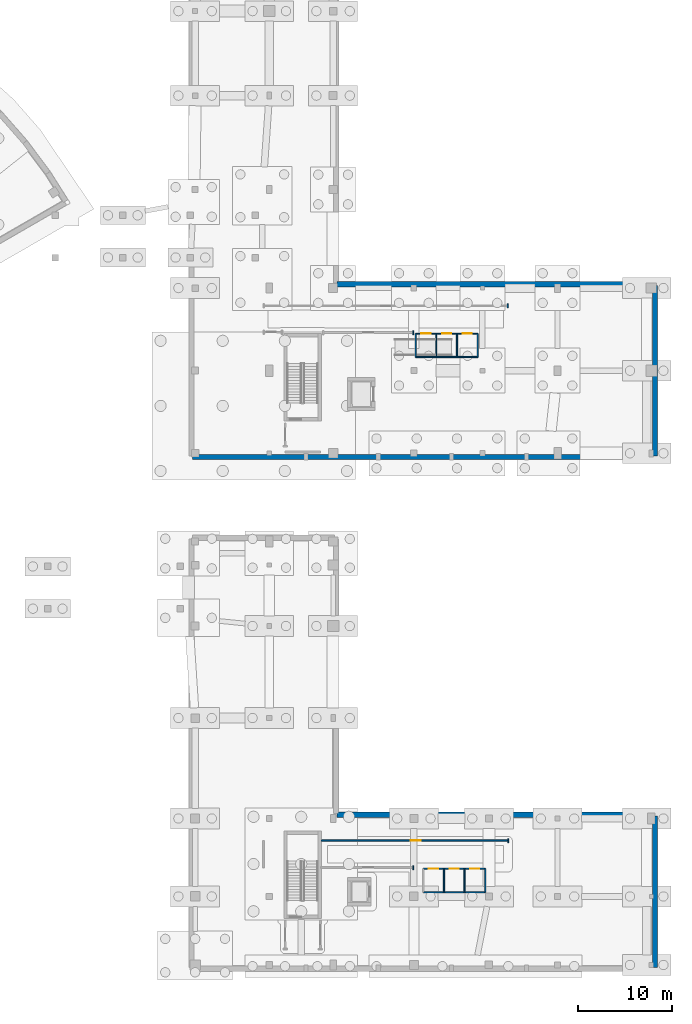
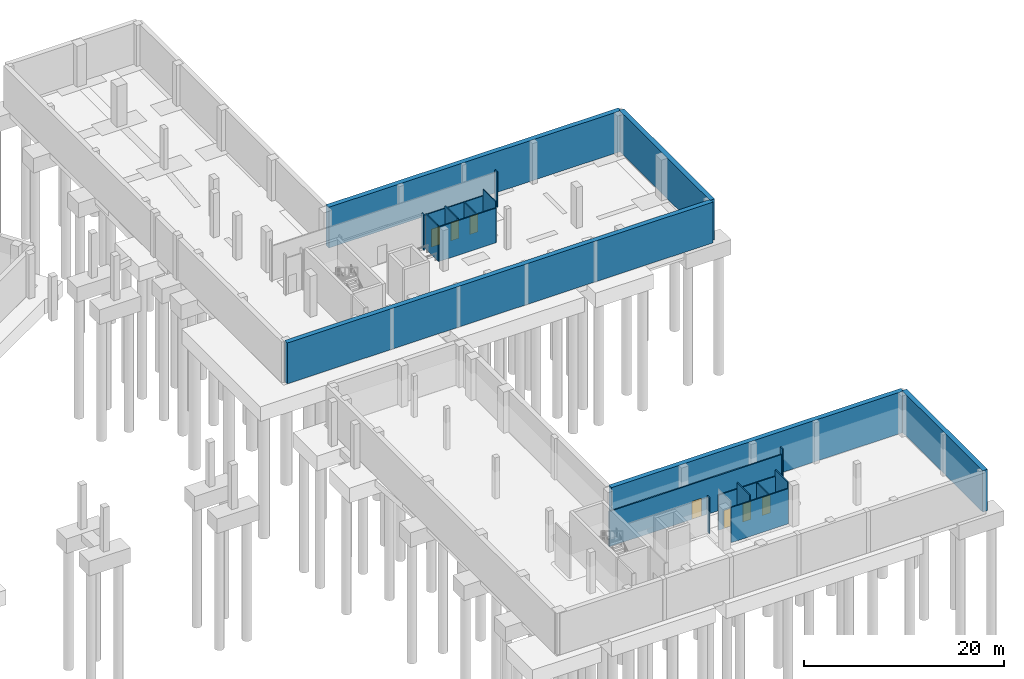
# One storey, part 18 of 33: 21 walls, 7 doors, 7 openings.
"""IFC4 building model written with IfcOpenShell, lengths in metres."""

from ifc_helpers import new_model, si_unit, direction, frame, frame_2d, origin, place, context, subcontext, project, spatial, rectangle, extrude, material, layer, layer_set, type_object, element, fill, save


model = new_model("IFC4")

# Units and contexts
model_context = context("Model", 3, precision=1e-05, world=origin(), true_north=direction((0.0, 1.0)))
body_context = subcontext(model_context, "Body", "Model", "MODEL_VIEW")
ifc_project = project(units=[si_unit("LENGTHUNIT", "METRE"), si_unit("AREAUNIT", "SQUARE_METRE"), si_unit("VOLUMEUNIT", "CUBIC_METRE"), si_unit("PLANEANGLEUNIT", "RADIAN"), si_unit("MASSUNIT", "GRAM", prefix="KILO")], contexts=[model_context])

# Site, building, storey
site_placement = place(None, origin())
site = spatial("IfcSite", under=ifc_project, at=site_placement, CompositionType="ELEMENT")
building_placement = place(site_placement, origin())
building = spatial("IfcBuilding", under=site, at=building_placement, Name="Soyqirgoq Riverine Aquarium", CompositionType="ELEMENT")
storey_placement = place(building_placement, frame((0.0, 0.0, -5.39990234375)))
storey = spatial("IfcBuildingStorey", under=building, at=storey_placement, Name="B01", CompositionType="ELEMENT", Elevation=-5.39990234375)

# Walls
ifc_material_1 = material(Name="Lightweight steel-stud gypsum partition", Category="steel")
ifc_layer_1 = layer(ifc_material_1, 0.1201171875)
ifc_layer_set_1 = layer_set([ifc_layer_1], Name="Lightweight steel-stud gypsum partition")
wall_type_1 = type_object("IfcWallType", Name="PartitionWall_120_Std", PredefinedType="PARTITIONING", material=ifc_layer_set_1)
wall_1_placement = place(storey_placement, frame((148.0400390625, 15.219970703125, 0.0), z_axis=(0.0, 0.0, 1.0), x_axis=(0.0, 1.0, 0.0)))
element("IfcWall", 1, at=wall_1_placement, inside=storey, type_object=wall_type_1, Name="V6 B01 Jamb Return Pier", PredefinedType="PARTITIONING", context=body_context, shape_type="SweptSolid", body=[
    extrude(rectangle(XDim=0.43994140625, YDim=0.1201171875, at=frame_2d((0.219970703125, 0.0))), origin(), (0.0, 0.0, 1.0), 5.0498046875),
])
wall_2_placement = place(storey_placement, frame((137.919921875, 12.780029296875, 0.0), z_axis=(0.0, 0.0, 1.0), x_axis=(0.0, -1.0, 0.0)))
element("IfcWall", 2, at=wall_2_placement, inside=storey, type_object=wall_type_1, Name="V6 B01 Jamb Return Pier", PredefinedType="PARTITIONING", context=body_context, shape_type="SweptSolid", body=[
    extrude(rectangle(XDim=0.43994140625, YDim=0.1201171875, at=frame_2d((0.219970703125, 0.0))), origin(), (0.0, 0.0, 1.0), 4.389892578125),
])
wall_3_placement = place(storey_placement, frame((148.0, 72.6201171875, 0.0), z_axis=(0.0, 0.0, 1.0), x_axis=(0.0, -1.0, 0.0)))
element("IfcWall", 3, at=wall_3_placement, inside=storey, type_object=wall_type_1, Name="V7 B01 Jamb Return Pier", PredefinedType="PARTITIONING", context=body_context, shape_type="SweptSolid", body=[
    extrude(rectangle(XDim=0.440185546875, YDim=0.1201171875, at=frame_2d((0.22021484375, 0.0))), origin(), (0.0, 0.0, 1.0), 4.31982421875),
])
wall_4_placement = place(storey_placement, frame((137.919921875, 69.780029296875, 0.0), z_axis=(0.0, 0.0, 1.0), x_axis=(0.0, -1.0, 0.0)))
element("IfcWall", 4, at=wall_4_placement, inside=storey, type_object=wall_type_1, Name="V7 B01 Jamb Return Pier", PredefinedType="PARTITIONING", context=body_context, shape_type="SweptSolid", body=[
    extrude(rectangle(XDim=0.43994140625, YDim=0.1201171875, at=frame_2d((0.219970703125, 0.0))), origin(), (0.0, 0.0, 1.0), 4.31982421875),
])

# Wall, openings, doors
ifc_material_2 = material(Name="Moisture-resistant cement-board wet-room partition", Category="gypsum")
ifc_layer_2 = layer(ifc_material_2, 0.125)
ifc_layer_set_2 = layer_set([ifc_layer_2], Name="Moisture-resistant cement-board wet-room partition")
wall_type_2 = type_object("IfcWallType", Name="PartitionWall_125_Wet", PredefinedType="PARTITIONING", material=ifc_layer_set_2)
wall_5_placement = place(storey_placement, frame((139.0, 12.449951171875, 0.0), z_axis=(0.0, 0.0, 1.0), x_axis=(1.0, 0.0, 0.0)))
wall_5 = element("IfcWall", 5, at=wall_5_placement, inside=storey, type_object=wall_type_2, Name="V6 B01 WC Suite Front Wall", PredefinedType="PARTITIONING", context=body_context, shape_type="SweptSolid", body=[
    extrude(rectangle(XDim=6.60009765625, YDim=0.125, at=frame_2d((3.300048828125, 0.0))), origin(), (0.0, 0.0, 1.0), 4.289794921875),
])
opening_1_placement = place(wall_5_placement, frame((0.60009765625, 0.0, 0.0)))
opening_1 = element("IfcOpeningElement", 6, at=opening_1_placement, cuts=wall_5, Name="Opening ID-05", PredefinedType="OPENING", context=body_context, shape_type="SweptSolid", body=[
    extrude(rectangle(XDim=1.0, YDim=2.199951171875, at=frame_2d((0.5, 1.10009765625))), frame((0.0, 0.072509765625, 0.0), z_axis=(0.0, -1.0, 0.0), x_axis=(1.0, 0.0, 0.0)), (0.0, 0.0, 1.0), 0.14501953125),
])
opening_2_placement = place(wall_5_placement, frame((2.824951171875, 0.0, 0.0)))
opening_2 = element("IfcOpeningElement", 7, at=opening_2_placement, cuts=wall_5, Name="Opening ID-06", PredefinedType="OPENING", context=body_context, shape_type="SweptSolid", body=[
    extrude(rectangle(XDim=0.949951171875, YDim=2.199951171875, at=frame_2d((0.47509765625, 1.10009765625))), frame((0.0, 0.072509765625, 0.0), z_axis=(0.0, -1.0, 0.0), x_axis=(1.0, 0.0, 0.0)), (0.0, 0.0, 1.0), 0.14501953125),
])
opening_3_placement = place(wall_5_placement, frame((5.02490234375, 0.0, 0.0)))
opening_3 = element("IfcOpeningElement", 8, at=opening_3_placement, cuts=wall_5, Name="Opening ID-06", PredefinedType="OPENING", context=body_context, shape_type="SweptSolid", body=[
    extrude(rectangle(XDim=0.949951171875, YDim=2.199951171875, at=frame_2d((0.47509765625, 1.10009765625))), frame((0.0, 0.072509765625, 0.0), z_axis=(0.0, -1.0, 0.0), x_axis=(1.0, 0.0, 0.0)), (0.0, 0.0, 1.0), 0.14501953125),
])
ifc_material_3 = material(Name="Moisture-resistant HPL accessible washroom door", Category="wood")
door_type_1 = type_object("IfcDoorType", Name="AccessibleWCDoor_1000x2200", OperationType="NOTDEFINED", PredefinedType="DOOR", material=ifc_material_3)
door_1_placement = place(opening_1_placement, origin())
door_1 = element("IfcDoor", 9, at=door_1_placement, inside=storey, type_object=door_type_1, Name="IDR-V6-B01-0171 Accessible WC Door", OperationType="SINGLE_SWING_LEFT", OverallHeight=2.199951171875, OverallWidth=1.0, PredefinedType="DOOR", context=body_context, shape_type="SweptSolid", body=[
    extrude(rectangle(XDim=1.0, YDim=2.199951171875, at=frame_2d((0.5, 1.10009765625))), frame((0.0, 0.02490234375, 0.0), z_axis=(0.0, -1.0, 0.0), x_axis=(1.0, 0.0, 0.0)), (0.0, 0.0, 1.0), 0.050048828125),
])
fill(opening_1, door_1)
ifc_material_4 = material(Name="Moisture-resistant HPL washroom door", Category="wood")
door_type_2 = type_object("IfcDoorType", Name="WCDoor_950x2200", OperationType="NOTDEFINED", PredefinedType="DOOR", material=ifc_material_4)
door_2_placement = place(opening_2_placement, origin())
door_2 = element("IfcDoor", 10, at=door_2_placement, inside=storey, type_object=door_type_2, Name="IDR-V6-B01-0172 Staff Shower Room Door", OperationType="SINGLE_SWING_RIGHT", OverallHeight=2.199951171875, OverallWidth=0.949951171875, PredefinedType="DOOR", context=body_context, shape_type="SweptSolid", body=[
    extrude(rectangle(XDim=0.949951171875, YDim=2.199951171875, at=frame_2d((0.47509765625, 1.10009765625))), frame((0.0, 0.02490234375, 0.0), z_axis=(0.0, -1.0, 0.0), x_axis=(1.0, 0.0, 0.0)), (0.0, 0.0, 1.0), 0.050048828125),
])
fill(opening_2, door_2)
door_3_placement = place(opening_3_placement, origin())
door_3 = element("IfcDoor", 11, at=door_3_placement, inside=storey, type_object=door_type_2, Name="IDR-V6-B01-0173 Staff WC Door", OperationType="SINGLE_SWING_LEFT", OverallHeight=2.199951171875, OverallWidth=0.949951171875, PredefinedType="DOOR", context=body_context, shape_type="SweptSolid", body=[
    extrude(rectangle(XDim=0.949951171875, YDim=2.199951171875, at=frame_2d((0.47509765625, 1.10009765625))), frame((0.0, 0.02490234375, 0.0), z_axis=(0.0, -1.0, 0.0), x_axis=(1.0, 0.0, 0.0)), (0.0, 0.0, 1.0), 0.050048828125),
])
fill(opening_3, door_3)

# Walls
wall_6_placement = place(storey_placement, frame((139.0, 9.949951171875, 0.0), z_axis=(0.0, 0.0, 1.0), x_axis=(1.0, 0.0, 0.0)))
element("IfcWall", 12, at=wall_6_placement, inside=storey, type_object=wall_type_2, Name="V6 B01 WC Suite Back Wall", PredefinedType="PARTITIONING", context=body_context, shape_type="SweptSolid", body=[
    extrude(rectangle(XDim=6.60009765625, YDim=0.125, at=frame_2d((3.300048828125, 0.0))), origin(), (0.0, 0.0, 1.0), 4.289794921875),
])
for number, where, z_axis, x_axis, name in (
    (13, (145.60009765625, 9.949951171875, 0.0), (0.0, 0.0, 1.0), (0.0, 1.0, 0.0), "V6 B01 WC Suite East Wall"),
    (14, (141.199951171875, 9.949951171875, 0.0), (0.0, 0.0, 1.0), (0.0, 1.0, 0.0), "V6 B01 WC Cubicle Divider 1"),
):
    element("IfcWall", number, at=place(storey_placement, frame(where, z_axis=z_axis, x_axis=x_axis)), inside=storey, type_object=wall_type_2, Name=name, PredefinedType="PARTITIONING", context=body_context, shape_type="SweptSolid", body=[
        extrude(rectangle(XDim=2.5, YDim=0.125, at=frame_2d((1.25, 0.0))), origin(), (0.0, 0.0, 1.0), 5.0498046875),
    ])
wall_7_placement = place(storey_placement, frame((143.39990234375, 9.949951171875, 0.0), z_axis=(0.0, 0.0, 1.0), x_axis=(0.0, 1.0, 0.0)))
element("IfcWall", 15, at=wall_7_placement, inside=storey, type_object=wall_type_2, Name="V6 B01 WC Cubicle Divider 2", PredefinedType="PARTITIONING", context=body_context, shape_type="SweptSolid", body=[
    extrude(rectangle(XDim=2.5, YDim=0.125, at=frame_2d((1.25, 0.0))), origin(), (0.0, 0.0, 1.0), 4.289794921875),
])

# Wall, openings, doors
wall_8_placement = place(storey_placement, frame((138.199951171875, 69.449951171875, 0.0), z_axis=(0.0, 0.0, 1.0), x_axis=(1.0, 0.0, 0.0)))
wall_8 = element("IfcWall", 16, at=wall_8_placement, inside=storey, type_object=wall_type_2, Name="V7 B01 WC Suite Front Wall", PredefinedType="PARTITIONING", context=body_context, shape_type="SweptSolid", body=[
    extrude(rectangle(XDim=6.60009765625, YDim=0.125, at=frame_2d((3.300048828125, 0.0))), origin(), (0.0, 0.0, 1.0), 4.219970703125),
])
opening_4_placement = place(wall_8_placement, frame((0.60009765625, 0.0, 0.0)))
opening_4 = element("IfcOpeningElement", 17, at=opening_4_placement, cuts=wall_8, Name="Opening ID-05", PredefinedType="OPENING", context=body_context, shape_type="SweptSolid", body=[
    extrude(rectangle(XDim=1.0, YDim=2.199951171875, at=frame_2d((0.5, 1.10009765625))), frame((0.0, 0.072509765625, 0.0), z_axis=(0.0, -1.0, 0.0), x_axis=(1.0, 0.0, 0.0)), (0.0, 0.0, 1.0), 0.14501953125),
])
opening_5_placement = place(wall_8_placement, frame((2.824951171875, 0.0, 0.0)))
opening_5 = element("IfcOpeningElement", 18, at=opening_5_placement, cuts=wall_8, Name="Opening ID-06", PredefinedType="OPENING", context=body_context, shape_type="SweptSolid", body=[
    extrude(rectangle(XDim=0.949951171875, YDim=2.199951171875, at=frame_2d((0.47509765625, 1.10009765625))), frame((0.0, 0.072509765625, 0.0), z_axis=(0.0, -1.0, 0.0), x_axis=(1.0, 0.0, 0.0)), (0.0, 0.0, 1.0), 0.14501953125),
])
opening_6_placement = place(wall_8_placement, frame((5.02490234375, 0.0, 0.0)))
opening_6 = element("IfcOpeningElement", 19, at=opening_6_placement, cuts=wall_8, Name="Opening ID-06", PredefinedType="OPENING", context=body_context, shape_type="SweptSolid", body=[
    extrude(rectangle(XDim=0.949951171875, YDim=2.199951171875, at=frame_2d((0.47509765625, 1.10009765625))), frame((0.0, 0.072509765625, 0.0), z_axis=(0.0, -1.0, 0.0), x_axis=(1.0, 0.0, 0.0)), (0.0, 0.0, 1.0), 0.14501953125),
])
door_4_placement = place(opening_4_placement, origin())
door_4 = element("IfcDoor", 20, at=door_4_placement, inside=storey, type_object=door_type_1, Name="IDR-V7-B01-0204 Accessible WC Door", OperationType="SINGLE_SWING_LEFT", OverallHeight=2.199951171875, OverallWidth=1.0, PredefinedType="DOOR", context=body_context, shape_type="SweptSolid", body=[
    extrude(rectangle(XDim=1.0, YDim=2.199951171875, at=frame_2d((0.5, 1.10009765625))), frame((0.0, 0.02490234375, 0.0), z_axis=(0.0, -1.0, 0.0), x_axis=(1.0, 0.0, 0.0)), (0.0, 0.0, 1.0), 0.050048828125),
])
fill(opening_4, door_4)
door_5_placement = place(opening_5_placement, origin())
door_5 = element("IfcDoor", 21, at=door_5_placement, inside=storey, type_object=door_type_2, Name="IDR-V7-B01-0205 Staff Shower Room Door", OperationType="SINGLE_SWING_RIGHT", OverallHeight=2.199951171875, OverallWidth=0.949951171875, PredefinedType="DOOR", context=body_context, shape_type="SweptSolid", body=[
    extrude(rectangle(XDim=0.949951171875, YDim=2.199951171875, at=frame_2d((0.47509765625, 1.10009765625))), frame((0.0, 0.02490234375, 0.0), z_axis=(0.0, -1.0, 0.0), x_axis=(1.0, 0.0, 0.0)), (0.0, 0.0, 1.0), 0.050048828125),
])
fill(opening_5, door_5)
door_6_placement = place(opening_6_placement, origin())
door_6 = element("IfcDoor", 22, at=door_6_placement, inside=storey, type_object=door_type_2, Name="IDR-V7-B01-0206 Staff WC Door", OperationType="SINGLE_SWING_LEFT", OverallHeight=2.199951171875, OverallWidth=0.949951171875, PredefinedType="DOOR", context=body_context, shape_type="SweptSolid", body=[
    extrude(rectangle(XDim=0.949951171875, YDim=2.199951171875, at=frame_2d((0.47509765625, 1.10009765625))), frame((0.0, 0.02490234375, 0.0), z_axis=(0.0, -1.0, 0.0), x_axis=(1.0, 0.0, 0.0)), (0.0, 0.0, 1.0), 0.050048828125),
])
fill(opening_6, door_6)

# Walls
wall_9_placement = place(storey_placement, frame((138.199951171875, 66.949951171875, 0.0), z_axis=(0.0, 0.0, 1.0), x_axis=(1.0, 0.0, 0.0)))
element("IfcWall", 23, at=wall_9_placement, inside=storey, type_object=wall_type_2, Name="V7 B01 WC Suite Back Wall", PredefinedType="PARTITIONING", context=body_context, shape_type="SweptSolid", body=[
    extrude(rectangle(XDim=6.60009765625, YDim=0.125, at=frame_2d((3.300048828125, 0.0))), origin(), (0.0, 0.0, 1.0), 4.219970703125),
])
wall_10_placement = place(storey_placement, frame((138.199951171875, 66.949951171875, 0.0), z_axis=(0.0, 0.0, 1.0), x_axis=(0.0, 1.0, 0.0)))
element("IfcWall", 24, at=wall_10_placement, inside=storey, type_object=wall_type_2, Name="V7 B01 WC Suite West Wall", PredefinedType="PARTITIONING", context=body_context, shape_type="SweptSolid", body=[
    extrude(rectangle(XDim=2.5, YDim=0.125, at=frame_2d((1.25, 0.0))), origin(), (0.0, 0.0, 1.0), 4.31982421875),
])
wall_11_placement = place(storey_placement, frame((144.800048828125, 66.949951171875, 0.0), z_axis=(0.0, 0.0, 1.0), x_axis=(0.0, 1.0, 0.0)))
element("IfcWall", 25, at=wall_11_placement, inside=storey, type_object=wall_type_2, Name="V7 B01 WC Suite East Wall", PredefinedType="PARTITIONING", context=body_context, shape_type="SweptSolid", body=[
    extrude(rectangle(XDim=2.5, YDim=0.125, at=frame_2d((1.25, 0.0))), origin(), (0.0, 0.0, 1.0), 4.97998046875),
])
wall_12_placement = place(storey_placement, frame((140.39990234375, 66.949951171875, 0.0), z_axis=(0.0, 0.0, 1.0), x_axis=(0.0, 1.0, 0.0)))
element("IfcWall", 26, at=wall_12_placement, inside=storey, type_object=wall_type_2, Name="V7 B01 WC Cubicle Divider 1", PredefinedType="PARTITIONING", context=body_context, shape_type="SweptSolid", body=[
    extrude(rectangle(XDim=2.5, YDim=0.125, at=frame_2d((1.25, 0.0))), origin(), (0.0, 0.0, 1.0), 4.47998046875),
])
wall_13_placement = place(storey_placement, frame((142.60009765625, 66.949951171875, 0.0), z_axis=(0.0, 0.0, 1.0), x_axis=(0.0, 1.0, 0.0)))
element("IfcWall", 27, at=wall_13_placement, inside=storey, type_object=wall_type_2, Name="V7 B01 WC Cubicle Divider 2", PredefinedType="PARTITIONING", context=body_context, shape_type="SweptSolid", body=[
    extrude(rectangle(XDim=2.5, YDim=0.125, at=frame_2d((1.25, 0.0))), origin(), (0.0, 0.0, 1.0), 4.219970703125),
])

# Wall, opening, door
ifc_material_5 = material(Name="Fire-rated acoustic gypsum stud partition", Category="gypsum")
ifc_layer_3 = layer(ifc_material_5, 0.159912109375)
ifc_layer_set_3 = layer_set([ifc_layer_3], Name="Fire-rated acoustic gypsum stud partition")
wall_type_3 = type_object("IfcWallType", Name="PartitionWall_160_EI60", PredefinedType="PARTITIONING", material=ifc_layer_set_3)
wall_14_placement = place(storey_placement, frame((128.094970703125, 15.43994140625, 0.0), z_axis=(0.0, 0.0, 1.0), x_axis=(1.0, 0.0, 0.0)))
wall_14 = element("IfcWall", 28, at=wall_14_placement, inside=storey, type_object=wall_type_3, Name="Stagecraft Technical Workshop Partition Wall", PredefinedType="PARTITIONING", context=body_context, shape_type="SweptSolid", body=[
    extrude(rectangle(XDim=19.945068359375, YDim=0.159912109375, at=frame_2d((9.97265625, 0.0))), origin(), (0.0, 0.0, 1.0), 4.289794921875),
])
opening_7_placement = place(wall_14_placement, frame((9.550048828125, 0.0, 0.0)))
opening_7 = element("IfcOpeningElement", 29, at=opening_7_placement, cuts=wall_14, Name="Opening ID-04", PredefinedType="OPENING", context=body_context, shape_type="SweptSolid", body=[
    extrude(rectangle(XDim=1.10009765625, YDim=2.199951171875, at=frame_2d((0.550048828125, 1.10009765625))), frame((0.0, 0.08984375, 0.0), z_axis=(0.0, -1.0, 0.0), x_axis=(1.0, 0.0, 0.0)), (0.0, 0.0, 1.0), 0.179931640625),
])
ifc_material_6 = material(Name="Chemical-resistant HPL fire-rated laboratory door", Category="wood")
door_type_3 = type_object("IfcDoorType", Name="LabDoor_1100x2200_EI60", OperationType="NOTDEFINED", PredefinedType="DOOR", material=ifc_material_6)
door_7_placement = place(opening_7_placement, origin())
door_7 = element("IfcDoor", 30, at=door_7_placement, inside=storey, type_object=door_type_3, Name="IDR-V6-B01-0175 Education Basement Corridor Door", OperationType="SINGLE_SWING_RIGHT", OverallHeight=2.199951171875, OverallWidth=1.10009765625, PredefinedType="DOOR", context=body_context, shape_type="SweptSolid", body=[
    extrude(rectangle(XDim=1.10009765625, YDim=2.199951171875, at=frame_2d((0.550048828125, 1.10009765625))), frame((0.0, 0.02490234375, 0.0), z_axis=(0.0, -1.0, 0.0), x_axis=(1.0, 0.0, 0.0)), (0.0, 0.0, 1.0), 0.050048828125),
])
fill(opening_7, door_7)

# Walls
ifc_material_7 = material(Name="Concrete C35/45", Category="concrete")
ifc_layer_4 = layer(ifc_material_7, 0.550048828125)
ifc_layer_set_4 = layer_set([ifc_layer_4], Name="Concrete C35/45")
wall_type_4 = type_object("IfcWallType", Name="RetainingWall_550_C35", PredefinedType="USERDEFINED", material=ifc_layer_set_4)
wall_15_placement = place(storey_placement, frame((129.83740234375, 18.199951171875, 0.0), z_axis=(0.0, 0.0, 1.0), x_axis=(1.0, 0.0, 0.0)))
element("IfcWall", 31, at=wall_15_placement, inside=storey, type_object=wall_type_4, Name="V6 B01 Perimeter Retaining Wall 103", ObjectType="RETAININGWALL", PredefinedType="USERDEFINED", context=body_context, shape_type="SweptSolid", body=[
    extrude(rectangle(XDim=33.72509765625, YDim=0.550048828125, at=frame_2d((16.862548828125, 0.0))), origin(), (0.0, 0.0, 1.0), 5.0498046875),
])
wall_16_placement = place(storey_placement, frame((163.699951171875, 18.0625, 0.0), z_axis=(0.0, 0.0, 1.0), x_axis=(0.0, -1.0, 0.0)))
element("IfcWall", 32, at=wall_16_placement, inside=storey, type_object=wall_type_4, Name="V6 B01 Perimeter Retaining Wall 104", ObjectType="RETAININGWALL", PredefinedType="USERDEFINED", context=body_context, shape_type="SweptSolid", body=[
    extrude(rectangle(XDim=16.125, YDim=0.550048828125, at=frame_2d((8.0625, 0.0))), origin(), (0.0, 0.0, 1.0), 5.0498046875),
])
wall_17_placement = place(storey_placement, frame((129.83740234375, 74.699951171875, 0.0), z_axis=(0.0, 0.0, 1.0), x_axis=(1.0, 0.0, 0.0)))
element("IfcWall", 33, at=wall_17_placement, inside=storey, type_object=wall_type_4, Name="V7 B01 Perimeter Retaining Wall 109", ObjectType="RETAININGWALL", PredefinedType="USERDEFINED", context=body_context, shape_type="SweptSolid", body=[
    extrude(rectangle(XDim=33.72509765625, YDim=0.550048828125, at=frame_2d((16.862548828125, 0.0))), origin(), (0.0, 0.0, 1.0), 4.97998046875),
])
wall_18_placement = place(storey_placement, frame((163.699951171875, 74.5625, 0.0), z_axis=(0.0, 0.0, 1.0), x_axis=(0.0, -1.0, 0.0)))
element("IfcWall", 34, at=wall_18_placement, inside=storey, type_object=wall_type_4, Name="V7 B01 Perimeter Retaining Wall 110", ObjectType="RETAININGWALL", PredefinedType="USERDEFINED", context=body_context, shape_type="SweptSolid", body=[
    extrude(rectangle(XDim=18.125, YDim=0.550048828125, at=frame_2d((9.0625, 0.0))), origin(), (0.0, 0.0, 1.0), 4.97998046875),
])
wall_19_placement = place(storey_placement, frame((163.5625, 56.300048828125, 0.0), z_axis=(0.0, 0.0, 1.0), x_axis=(-1.0, 0.0, 0.0)))
element("IfcWall", 35, at=wall_19_placement, inside=storey, type_object=wall_type_4, Name="V7 B01 Perimeter Retaining Wall 111", ObjectType="RETAININGWALL", PredefinedType="USERDEFINED", context=body_context, shape_type="SweptSolid", body=[
    extrude(rectangle(XDim=49.125, YDim=0.550048828125, at=frame_2d((24.5625, 0.0))), origin(), (0.0, 0.0, 1.0), 4.97998046875),
])

save(model, "model.ifc")
